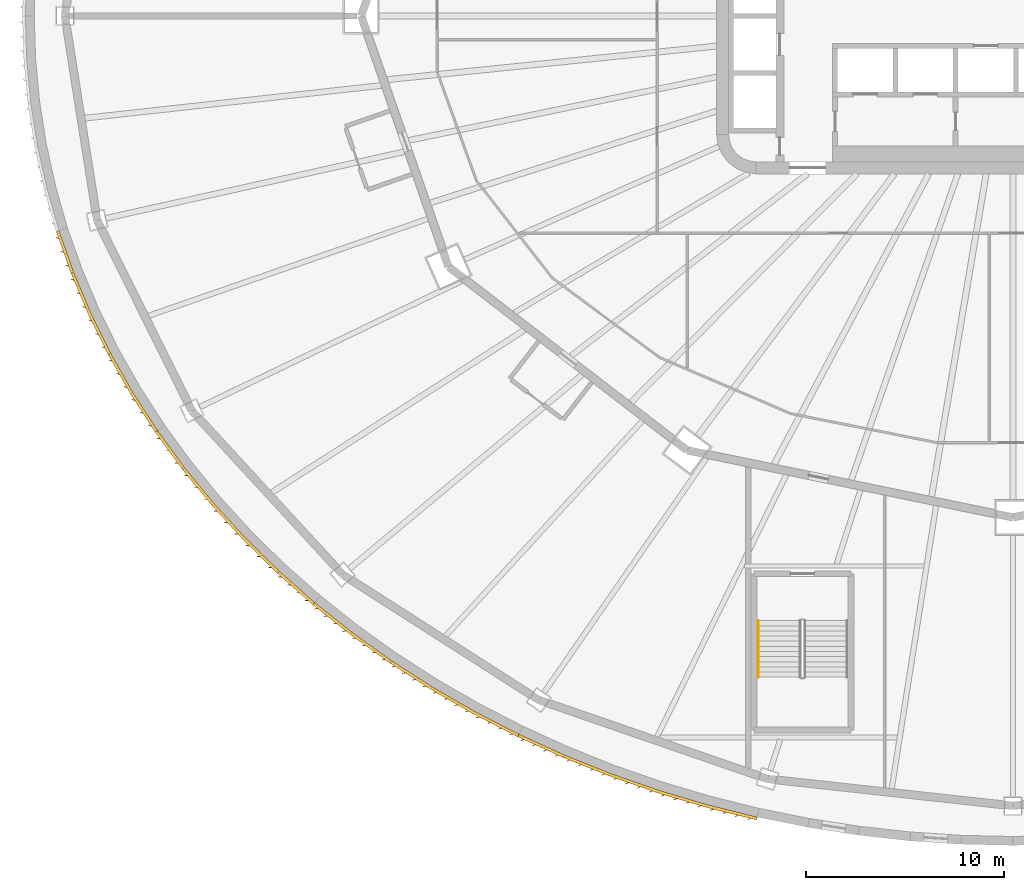
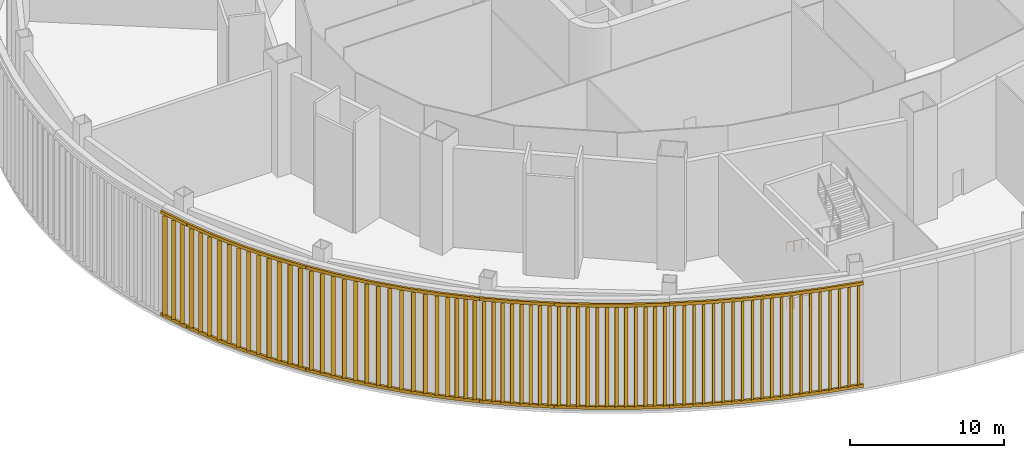
# One storey, part 27 of 35: 4 shading devices, 2 railings.
"""IFC4 building model written with IfcOpenShell, lengths in metres."""

from ifc_helpers import new_model, si_unit, direction, frame, origin, origin_2d, place, context, subcontext, project, spatial, rectangle, circle, extrude, material, type_object, element, save


model = new_model("IFC4")

# Units and contexts
model_context = context("Model", 3, precision=1e-05, world=origin(), true_north=direction((0.0, 1.0)))
body_context = subcontext(model_context, "Body", "Model", "MODEL_VIEW")
ifc_project = project(units=[si_unit("LENGTHUNIT", "METRE"), si_unit("AREAUNIT", "SQUARE_METRE"), si_unit("VOLUMEUNIT", "CUBIC_METRE"), si_unit("PLANEANGLEUNIT", "RADIAN"), si_unit("MASSUNIT", "GRAM", prefix="KILO")], contexts=[model_context])

# Site, building, storey
site_placement = place(None, origin())
site = spatial("IfcSite", under=ifc_project, at=site_placement, CompositionType="ELEMENT")
building_placement = place(site_placement, origin())
building = spatial("IfcBuilding", under=site, at=building_placement, Name="Sahrelin Media Tower", CompositionType="ELEMENT")
storey_placement = place(building_placement, frame((0.0, 0.0, 17.0)))
storey = spatial("IfcBuildingStorey", under=building, at=storey_placement, Name="L02", CompositionType="ELEMENT", Elevation=17.0)

# Railings
ifc_material_1 = material(Name="Steel S355", Category="steel")
railing_type = type_object("IfcRailingType", Name="Stair handrail 900", PredefinedType="HANDRAIL", material=ifc_material_1)
for number, where, name in (
    (1, (-12.89990234375, -30.625, 0.1875), "L02 PS3 stair handrail 1"),
    (2, (-12.89990234375, -30.625, 4.6875), "L02 PS3 stair handrail 3"),
):
    element("IfcRailing", number, at=place(storey_placement, frame(where)), inside=storey, type_object=railing_type, Name=name, PredefinedType="HANDRAIL", context=body_context, shape_type="SweptSolid", body=[
        extrude(circle(Radius=0.02392578125, at=origin_2d()), frame((0.0, 0.0, 0.8759765625), z_axis=(0.0, -0.811100754333, 0.584906459462), x_axis=(1.0, 0.0, 0.0)), (0.0, 0.0, 1.0), 3.526123046875),
        extrude(circle(Radius=0.02099609375, at=origin_2d()), origin(), (0.0, 0.0, 1.0), 0.851806640625),
        extrude(circle(Radius=0.02099609375, at=origin_2d()), frame((0.0, -0.953369140625, 0.6875)), (0.0, 0.0, 1.0), 0.851806640625),
        extrude(circle(Radius=0.02099609375, at=origin_2d()), frame((0.0, -1.90673828125, 1.375)), (0.0, 0.0, 1.0), 0.851806640625),
        extrude(circle(Radius=0.02099609375, at=origin_2d()), frame((0.0, -2.860107421875, 2.0625)), (0.0, 0.0, 1.0), 0.851806640625),
    ])

# Shading devices
ifc_material_2 = material(Name="Champagne anodised aluminium 6063-T6", Category="aluminium")
shading_device_type = type_object("IfcShadingDeviceType", Name="Studio facade screen", PredefinedType="USERDEFINED", material=ifc_material_2)
shading_device_1_placement = place(storey_placement, frame((-48.29638671875, -10.870361328125, 0.0), z_axis=(0.0, 0.0, 1.0), x_axis=(-0.44228697484, 0.896873587462, 0.0)))
element("IfcShadingDevice", 3, at=shading_device_1_placement, inside=storey, type_object=shading_device_type, Name="L02:SCREEN:L02-P13", ObjectType="SCREEN", PredefinedType="USERDEFINED", context=body_context, shape_type="SweptSolid", body=[
    extrude(rectangle(XDim=0.14990234375, YDim=0.25, at=origin_2d()), frame((0.0087890625, 0.074462890625, 0.35009765625), z_axis=(-0.992914515953, 0.118830820961, 0.0), x_axis=(-0.118830820961, -0.992914515953, 0.0)), (0.0, 0.0, 1.0), 2.2353515625),
    extrude(rectangle(XDim=0.14990234375, YDim=0.25, at=origin_2d()), frame((0.0087890625, 0.074462890625, 8.449951171875), z_axis=(-0.992914515953, 0.118830820961, 0.0), x_axis=(-0.118830820961, -0.992914515953, 0.0)), (0.0, 0.0, 1.0), 2.2353515625),
    extrude(rectangle(XDim=0.300048828125, YDim=0.0400390625, at=origin_2d()), frame((-0.35205078125, 0.193115234375, 0.47509765625), z_axis=(0.0, 0.0, 1.0), x_axis=(0.707106781187, 0.707106781187, 0.0)), (0.0, 0.0, 1.0), 7.849853515625),
    extrude(rectangle(XDim=0.300048828125, YDim=0.0400390625, at=origin_2d()), frame((-1.092041015625, 0.28173828125, 0.47509765625), z_axis=(0.0, 0.0, 1.0), x_axis=(0.707106781187, 0.707106781187, 0.0)), (0.0, 0.0, 1.0), 7.849853515625),
    extrude(rectangle(XDim=0.300048828125, YDim=0.0400390625, at=origin_2d()), frame((-1.83203125, 0.370361328125, 0.47509765625), z_axis=(0.0, 0.0, 1.0), x_axis=(0.707106781187, 0.707106781187, 0.0)), (0.0, 0.0, 1.0), 7.849853515625),
    extrude(rectangle(XDim=0.14990234375, YDim=0.25, at=origin_2d()), frame((-2.21533203125, 0.340576171875, 0.35009765625), z_axis=(-0.998255232119, 0.059046520199, 0.0), x_axis=(-0.059046520199, -0.998255232119, 0.0)), (0.0, 0.0, 1.0), 2.249267578125),
    extrude(rectangle(XDim=0.14990234375, YDim=0.25, at=origin_2d()), frame((-2.21533203125, 0.340576171875, 8.449951171875), z_axis=(-0.998255232119, 0.059046520199, 0.0), x_axis=(-0.059046520199, -0.998255232119, 0.0)), (0.0, 0.0, 1.0), 2.249267578125),
    extrude(rectangle(XDim=0.300048828125, YDim=0.0400390625, at=origin_2d()), frame((-2.585205078125, 0.4375, 0.47509765625), z_axis=(0.0, 0.0, 1.0), x_axis=(0.707106781187, 0.707106781187, 0.0)), (0.0, 0.0, 1.0), 7.849853515625),
    extrude(rectangle(XDim=0.300048828125, YDim=0.0400390625, at=origin_2d()), frame((-3.33349609375, 0.481689453125, 0.47509765625), z_axis=(0.0, 0.0, 1.0), x_axis=(0.707106781187, 0.707106781187, 0.0)), (0.0, 0.0, 1.0), 7.849853515625),
    extrude(rectangle(XDim=0.300048828125, YDim=0.0400390625, at=origin_2d()), frame((-4.08203125, 0.526123046875, 0.47509765625), z_axis=(0.0, 0.0, 1.0), x_axis=(0.707106781187, 0.707106781187, 0.0)), (0.0, 0.0, 1.0), 7.849853515625),
    extrude(rectangle(XDim=0.14990234375, YDim=0.25, at=origin_2d()), frame((-4.465087890625, 0.4736328125, 0.35009765625), z_axis=(-1.0, 0.0, 0.0), x_axis=(0.0, -1.0, 0.0)), (0.0, 0.0, 1.0), 2.26513671875),
    extrude(rectangle(XDim=0.14990234375, YDim=0.25, at=origin_2d()), frame((-4.465087890625, 0.4736328125, 8.449951171875), z_axis=(-1.0, 0.0, 0.0), x_axis=(0.0, -1.0, 0.0)), (0.0, 0.0, 1.0), 2.26513671875),
    extrude(rectangle(XDim=0.300048828125, YDim=0.0400390625, at=origin_2d()), frame((-4.8427734375, 0.548583984375, 0.47509765625), z_axis=(0.0, 0.0, 1.0), x_axis=(0.707106781187, 0.707106781187, 0.0)), (0.0, 0.0, 1.0), 7.849853515625),
    extrude(rectangle(XDim=0.300048828125, YDim=0.0400390625, at=origin_2d()), frame((-5.59765625, 0.548583984375, 0.47509765625), z_axis=(0.0, 0.0, 1.0), x_axis=(0.707106781187, 0.707106781187, 0.0)), (0.0, 0.0, 1.0), 7.849853515625),
    extrude(rectangle(XDim=0.300048828125, YDim=0.0400390625, at=origin_2d()), frame((-6.352783203125, 0.548583984375, 0.47509765625), z_axis=(0.0, 0.0, 1.0), x_axis=(0.707106781187, 0.707106781187, 0.0)), (0.0, 0.0, 1.0), 7.849853515625),
    extrude(rectangle(XDim=0.14990234375, YDim=0.25, at=origin_2d()), frame((-6.734619140625, 0.473388671875, 0.35009765625), z_axis=(-0.998305220506, -0.058195246459, 0.0), x_axis=(0.058195246459, -0.998305220506, 0.0)), (0.0, 0.0, 1.0), 2.2822265625),
    extrude(rectangle(XDim=0.14990234375, YDim=0.25, at=origin_2d()), frame((-6.734619140625, 0.473388671875, 8.449951171875), z_axis=(-0.998305220506, -0.058195246459, 0.0), x_axis=(0.058195246459, -0.998305220506, 0.0)), (0.0, 0.0, 1.0), 2.2822265625),
    extrude(rectangle(XDim=0.300048828125, YDim=0.0400390625, at=origin_2d()), frame((-7.11865234375, 0.526123046875, 0.47509765625), z_axis=(0.0, 0.0, 1.0), x_axis=(0.707106781187, 0.707106781187, 0.0)), (0.0, 0.0, 1.0), 7.849853515625),
    extrude(rectangle(XDim=0.300048828125, YDim=0.0400390625, at=origin_2d()), frame((-7.878173828125, 0.481689453125, 0.47509765625), z_axis=(0.0, 0.0, 1.0), x_axis=(0.707106781187, 0.707106781187, 0.0)), (0.0, 0.0, 1.0), 7.849853515625),
    extrude(rectangle(XDim=0.300048828125, YDim=0.0400390625, at=origin_2d()), frame((-8.6376953125, 0.4375, 0.47509765625), z_axis=(0.0, 0.0, 1.0), x_axis=(0.707106781187, 0.707106781187, 0.0)), (0.0, 0.0, 1.0), 7.849853515625),
    extrude(rectangle(XDim=0.14990234375, YDim=0.25, at=origin_2d()), frame((-9.017333984375, 0.340087890625, 0.35009765625), z_axis=(-0.993314738525, -0.115437559871, 0.0), x_axis=(0.115437559871, -0.993314738525, 0.0)), (0.0, 0.0, 1.0), 2.301025390625),
    extrude(rectangle(XDim=0.14990234375, YDim=0.25, at=origin_2d()), frame((-9.017333984375, 0.340087890625, 8.449951171875), z_axis=(-0.993314738525, -0.115437559871, 0.0), x_axis=(0.115437559871, -0.993314738525, 0.0)), (0.0, 0.0, 1.0), 2.301025390625),
    extrude(rectangle(XDim=0.300048828125, YDim=0.0400390625, at=origin_2d()), frame((-9.406982421875, 0.370361328125, 0.47509765625), z_axis=(0.0, 0.0, 1.0), x_axis=(0.707106781187, 0.707106781187, 0.0)), (0.0, 0.0, 1.0), 7.849853515625),
    extrude(rectangle(XDim=0.300048828125, YDim=0.0400390625, at=origin_2d()), frame((-10.168701171875, 0.28173828125, 0.47509765625), z_axis=(0.0, 0.0, 1.0), x_axis=(0.707106781187, 0.707106781187, 0.0)), (0.0, 0.0, 1.0), 7.849853515625),
    extrude(rectangle(XDim=0.300048828125, YDim=0.0400390625, at=origin_2d()), frame((-10.9306640625, 0.193359375, 0.47509765625), z_axis=(0.0, 0.0, 1.0), x_axis=(0.707106781187, 0.707106781187, 0.0)), (0.0, 0.0, 1.0), 7.849853515625),
])
shading_device_2_placement = place(storey_placement, frame((-43.30126953125, -21.0, 0.0), z_axis=(0.0, 0.0, 1.0), x_axis=(-0.674432963717, 0.738336087058, 0.0)))
element("IfcShadingDevice", 4, at=shading_device_2_placement, inside=storey, type_object=shading_device_type, Name="L02:SCREEN:L02-P14", ObjectType="SCREEN", PredefinedType="USERDEFINED", context=body_context, shape_type="SweptSolid", body=[
    extrude(rectangle(XDim=0.14990234375, YDim=0.25, at=origin_2d()), frame((0.00830078125, 0.074462890625, 0.35009765625), z_axis=(-0.993963012616, 0.109715675961, 0.0), x_axis=(-0.109715675961, -0.993963012616, 0.0)), (0.0, 0.0, 1.0), 2.32080078125),
    extrude(rectangle(XDim=0.14990234375, YDim=0.25, at=origin_2d()), frame((0.00830078125, 0.074462890625, 8.449951171875), z_axis=(-0.993963012616, 0.109715675961, 0.0), x_axis=(-0.109715675961, -0.993963012616, 0.0)), (0.0, 0.0, 1.0), 2.32080078125),
    extrude(rectangle(XDim=0.300048828125, YDim=0.0400390625, at=origin_2d()), frame((-0.367919921875, 0.19140625, 0.47509765625), z_axis=(0.0, 0.0, 1.0), x_axis=(0.707106781187, 0.707106781187, 0.0)), (0.0, 0.0, 1.0), 7.849853515625),
    extrude(rectangle(XDim=0.300048828125, YDim=0.0400390625, at=origin_2d()), frame((-1.136962890625, 0.2763671875, 0.47509765625), z_axis=(0.0, 0.0, 1.0), x_axis=(0.707106781187, 0.707106781187, 0.0)), (0.0, 0.0, 1.0), 7.849853515625),
    extrude(rectangle(XDim=0.300048828125, YDim=0.0400390625, at=origin_2d()), frame((-1.90576171875, 0.361083984375, 0.47509765625), z_axis=(0.0, 0.0, 1.0), x_axis=(0.707106781187, 0.707106781187, 0.0)), (0.0, 0.0, 1.0), 7.849853515625),
    extrude(rectangle(XDim=0.14990234375, YDim=0.25, at=origin_2d()), frame((-2.302490234375, 0.32958984375, 0.35009765625), z_axis=(-0.998517872109, 0.054424802051, 0.0), x_axis=(-0.054424802051, -0.998517872109, 0.0)), (0.0, 0.0, 1.0), 2.341552734375),
    extrude(rectangle(XDim=0.14990234375, YDim=0.25, at=origin_2d()), frame((-2.302490234375, 0.32958984375, 8.449951171875), z_axis=(-0.998517872109, 0.054424802051, 0.0), x_axis=(-0.054424802051, -0.998517872109, 0.0)), (0.0, 0.0, 1.0), 2.341552734375),
    extrude(rectangle(XDim=0.300048828125, YDim=0.0400390625, at=origin_2d()), frame((-2.688232421875, 0.425537109375, 0.47509765625), z_axis=(0.0, 0.0, 1.0), x_axis=(0.707106781187, 0.707106781187, 0.0)), (0.0, 0.0, 1.0), 7.849853515625),
    extrude(rectangle(XDim=0.300048828125, YDim=0.0400390625, at=origin_2d()), frame((-3.467529296875, 0.468017578125, 0.47509765625), z_axis=(0.0, 0.0, 1.0), x_axis=(0.707106781187, 0.707106781187, 0.0)), (0.0, 0.0, 1.0), 7.849853515625),
    extrude(rectangle(XDim=0.300048828125, YDim=0.0400390625, at=origin_2d()), frame((-4.246826171875, 0.510498046875, 0.47509765625), z_axis=(0.0, 0.0, 1.0), x_axis=(0.707106781187, 0.707106781187, 0.0)), (0.0, 0.0, 1.0), 7.849853515625),
    extrude(rectangle(XDim=0.14990234375, YDim=0.25, at=origin_2d()), frame((-4.644775390625, 0.45703125, 0.35009765625), z_axis=(-0.999999994661, 0.000103337811, 0.0), x_axis=(-0.000103337811, -0.999999994661, 0.0)), (0.0, 0.0, 1.0), 2.362548828125),
    extrude(rectangle(XDim=0.14990234375, YDim=0.25, at=origin_2d()), frame((-4.644775390625, 0.45703125, 8.449951171875), z_axis=(-0.999999994661, 0.000103337811, 0.0), x_axis=(-0.000103337811, -0.999999994661, 0.0)), (0.0, 0.0, 1.0), 2.362548828125),
    extrude(rectangle(XDim=0.300048828125, YDim=0.0400390625, at=origin_2d()), frame((-5.03857421875, 0.531982421875, 0.47509765625), z_axis=(0.0, 0.0, 1.0), x_axis=(0.707106781187, 0.707106781187, 0.0)), (0.0, 0.0, 1.0), 7.849853515625),
    extrude(rectangle(XDim=0.300048828125, YDim=0.0400390625, at=origin_2d()), frame((-5.826171875, 0.531982421875, 0.47509765625), z_axis=(0.0, 0.0, 1.0), x_axis=(0.707106781187, 0.707106781187, 0.0)), (0.0, 0.0, 1.0), 7.849853515625),
    extrude(rectangle(XDim=0.300048828125, YDim=0.0400390625, at=origin_2d()), frame((-6.61376953125, 0.5322265625, 0.47509765625), z_axis=(0.0, 0.0, 1.0), x_axis=(0.707106781187, 0.707106781187, 0.0)), (0.0, 0.0, 1.0), 7.849853515625),
    extrude(rectangle(XDim=0.14990234375, YDim=0.25, at=origin_2d()), frame((-7.011474609375, 0.45703125, 0.35009765625), z_axis=(-0.998570768026, -0.053445497889, 0.0), x_axis=(0.053445497889, -0.998570768026, 0.0)), (0.0, 0.0, 1.0), 2.384521484375),
    extrude(rectangle(XDim=0.14990234375, YDim=0.25, at=origin_2d()), frame((-7.011474609375, 0.45703125, 8.449951171875), z_axis=(-0.998570768026, -0.053445497889, 0.0), x_axis=(0.053445497889, -0.998570768026, 0.0)), (0.0, 0.0, 1.0), 2.384521484375),
    extrude(rectangle(XDim=0.300048828125, YDim=0.0400390625, at=origin_2d()), frame((-7.412353515625, 0.5107421875, 0.47509765625), z_axis=(0.0, 0.0, 1.0), x_axis=(0.707106781187, 0.707106781187, 0.0)), (0.0, 0.0, 1.0), 7.849853515625),
    extrude(rectangle(XDim=0.300048828125, YDim=0.0400390625, at=origin_2d()), frame((-8.2060546875, 0.46826171875, 0.47509765625), z_axis=(0.0, 0.0, 1.0), x_axis=(0.707106781187, 0.707106781187, 0.0)), (0.0, 0.0, 1.0), 7.849853515625),
    extrude(rectangle(XDim=0.300048828125, YDim=0.0400390625, at=origin_2d()), frame((-8.999755859375, 0.42578125, 0.47509765625), z_axis=(0.0, 0.0, 1.0), x_axis=(0.707106781187, 0.707106781187, 0.0)), (0.0, 0.0, 1.0), 7.849853515625),
    extrude(rectangle(XDim=0.14990234375, YDim=0.25, at=origin_2d()), frame((-9.396484375, 0.3291015625, 0.35009765625), z_axis=(-0.994395950407, -0.105719883718, 0.0), x_axis=(0.105719883718, -0.994395950407, 0.0)), (0.0, 0.0, 1.0), 2.40625),
    extrude(rectangle(XDim=0.14990234375, YDim=0.25, at=origin_2d()), frame((-9.396484375, 0.3291015625, 8.449951171875), z_axis=(-0.994395950407, -0.105719883718, 0.0), x_axis=(0.105719883718, -0.994395950407, 0.0)), (0.0, 0.0, 1.0), 2.40625),
    extrude(rectangle(XDim=0.300048828125, YDim=0.0400390625, at=origin_2d()), frame((-9.70361328125, 0.3720703125, 0.47509765625), z_axis=(0.0, 0.0, 1.0), x_axis=(0.707106781187, 0.707106781187, 0.0)), (0.0, 0.0, 1.0), 7.849853515625),
    extrude(rectangle(XDim=0.300048828125, YDim=0.0400390625, at=origin_2d()), frame((-10.3017578125, 0.308349609375, 0.47509765625), z_axis=(0.0, 0.0, 1.0), x_axis=(0.707106781187, 0.707106781187, 0.0)), (0.0, 0.0, 1.0), 7.849853515625),
    extrude(rectangle(XDim=0.300048828125, YDim=0.0400390625, at=origin_2d()), frame((-10.89990234375, 0.24462890625, 0.47509765625), z_axis=(0.0, 0.0, 1.0), x_axis=(0.707106781187, 0.707106781187, 0.0)), (0.0, 0.0, 1.0), 7.849853515625),
    extrude(rectangle(XDim=0.300048828125, YDim=0.0400390625, at=origin_2d()), frame((-11.498291015625, 0.180908203125, 0.47509765625), z_axis=(0.0, 0.0, 1.0), x_axis=(0.707106781187, 0.707106781187, 0.0)), (0.0, 0.0, 1.0), 7.849853515625),
])
shading_device_3_placement = place(storey_placement, frame((-35.355224609375, -29.698486328125, 0.0), z_axis=(0.0, 0.0, 1.0), x_axis=(-0.840505257377, 0.541803388991, 0.0)))
element("IfcShadingDevice", 5, at=shading_device_3_placement, inside=storey, type_object=shading_device_type, Name="L02:SCREEN:L02-P15", ObjectType="SCREEN", PredefinedType="USERDEFINED", context=body_context, shape_type="SweptSolid", body=[
    extrude(rectangle(XDim=0.14990234375, YDim=0.25, at=origin_2d()), frame((0.007568359375, 0.07470703125, 0.35009765625), z_axis=(-0.994963253127, 0.100240335829, 0.0), x_axis=(-0.100240335829, -0.994963253127, 0.0)), (0.0, 0.0, 1.0), 2.42822265625),
    extrude(rectangle(XDim=0.14990234375, YDim=0.25, at=origin_2d()), frame((0.007568359375, 0.07470703125, 8.449951171875), z_axis=(-0.994963253127, 0.100240335829, 0.0), x_axis=(-0.100240335829, -0.994963253127, 0.0)), (0.0, 0.0, 1.0), 2.42822265625),
    extrude(rectangle(XDim=0.300048828125, YDim=0.0400390625, at=origin_2d()), frame((-0.287109375, 0.1796875, 0.47509765625), z_axis=(0.0, 0.0, 1.0), x_axis=(0.707106781187, 0.707106781187, 0.0)), (0.0, 0.0, 1.0), 7.849853515625),
    extrude(rectangle(XDim=0.300048828125, YDim=0.0400390625, at=origin_2d()), frame((-0.89111328125, 0.240478515625, 0.47509765625), z_axis=(0.0, 0.0, 1.0), x_axis=(0.707106781187, 0.707106781187, 0.0)), (0.0, 0.0, 1.0), 7.849853515625),
    extrude(rectangle(XDim=0.300048828125, YDim=0.0400390625, at=origin_2d()), frame((-1.4951171875, 0.301513671875, 0.47509765625), z_axis=(0.0, 0.0, 1.0), x_axis=(0.707106781187, 0.707106781187, 0.0)), (0.0, 0.0, 1.0), 7.849853515625),
    extrude(rectangle(XDim=0.300048828125, YDim=0.0400390625, at=origin_2d()), frame((-2.09912109375, 0.3623046875, 0.47509765625), z_axis=(0.0, 0.0, 1.0), x_axis=(0.707106781187, 0.707106781187, 0.0)), (0.0, 0.0, 1.0), 7.849853515625),
    extrude(rectangle(XDim=0.14990234375, YDim=0.25, at=origin_2d()), frame((-2.412353515625, 0.318359375, 0.35009765625), z_axis=(-0.99876250847, 0.049733808175, 0.0), x_axis=(-0.049733808175, -0.99876250847, 0.0)), (0.0, 0.0, 1.0), 2.449462890625),
    extrude(rectangle(XDim=0.14990234375, YDim=0.25, at=origin_2d()), frame((-2.412353515625, 0.318359375, 8.449951171875), z_axis=(-0.99876250847, 0.049733808175, 0.0), x_axis=(-0.049733808175, -0.99876250847, 0.0)), (0.0, 0.0, 1.0), 2.449462890625),
    extrude(rectangle(XDim=0.300048828125, YDim=0.0400390625, at=origin_2d()), frame((-2.71435546875, 0.40869140625, 0.47509765625), z_axis=(0.0, 0.0, 1.0), x_axis=(0.707106781187, 0.707106781187, 0.0)), (0.0, 0.0, 1.0), 7.849853515625),
    extrude(rectangle(XDim=0.300048828125, YDim=0.0400390625, at=origin_2d()), frame((-3.326171875, 0.43896484375, 0.47509765625), z_axis=(0.0, 0.0, 1.0), x_axis=(0.707106781187, 0.707106781187, 0.0)), (0.0, 0.0, 1.0), 7.849853515625),
    extrude(rectangle(XDim=0.300048828125, YDim=0.0400390625, at=origin_2d()), frame((-3.937744140625, 0.469482421875, 0.47509765625), z_axis=(0.0, 0.0, 1.0), x_axis=(0.707106781187, 0.707106781187, 0.0)), (0.0, 0.0, 1.0), 7.849853515625),
    extrude(rectangle(XDim=0.300048828125, YDim=0.0400390625, at=origin_2d()), frame((-4.54931640625, 0.5, 0.47509765625), z_axis=(0.0, 0.0, 1.0), x_axis=(0.707106781187, 0.707106781187, 0.0)), (0.0, 0.0, 1.0), 7.849853515625),
    extrude(rectangle(XDim=0.14990234375, YDim=0.25, at=origin_2d()), frame((-4.86279296875, 0.4404296875, 0.35009765625), z_axis=(-1.0, 0.0, 0.0), x_axis=(0.0, -1.0, 0.0)), (0.0, 0.0, 1.0), 2.470703125),
    extrude(rectangle(XDim=0.14990234375, YDim=0.25, at=origin_2d()), frame((-4.86279296875, 0.4404296875, 8.449951171875), z_axis=(-1.0, 0.0, 0.0), x_axis=(0.0, -1.0, 0.0)), (0.0, 0.0, 1.0), 2.470703125),
    extrude(rectangle(XDim=0.300048828125, YDim=0.0400390625, at=origin_2d()), frame((-5.171630859375, 0.515380859375, 0.47509765625), z_axis=(0.0, 0.0, 1.0), x_axis=(0.707106781187, 0.707106781187, 0.0)), (0.0, 0.0, 1.0), 7.849853515625),
    extrude(rectangle(XDim=0.300048828125, YDim=0.0400390625, at=origin_2d()), frame((-5.789306640625, 0.515380859375, 0.47509765625), z_axis=(0.0, 0.0, 1.0), x_axis=(0.707106781187, 0.707106781187, 0.0)), (0.0, 0.0, 1.0), 7.849853515625),
    extrude(rectangle(XDim=0.300048828125, YDim=0.0400390625, at=origin_2d()), frame((-6.406982421875, 0.515380859375, 0.47509765625), z_axis=(0.0, 0.0, 1.0), x_axis=(0.707106781187, 0.707106781187, 0.0)), (0.0, 0.0, 1.0), 7.849853515625),
    extrude(rectangle(XDim=0.300048828125, YDim=0.0400390625, at=origin_2d()), frame((-7.024658203125, 0.515380859375, 0.47509765625), z_axis=(0.0, 0.0, 1.0), x_axis=(0.707106781187, 0.707106781187, 0.0)), (0.0, 0.0, 1.0), 7.849853515625),
    extrude(rectangle(XDim=0.14990234375, YDim=0.25, at=origin_2d()), frame((-7.337158203125, 0.440185546875, 0.35009765625), z_axis=(-0.99880815952, -0.048808405793, 0.0), x_axis=(0.048808405793, -0.99880815952, 0.0)), (0.0, 0.0, 1.0), 2.490966796875),
    extrude(rectangle(XDim=0.14990234375, YDim=0.25, at=origin_2d()), frame((-7.337158203125, 0.440185546875, 8.449951171875), z_axis=(-0.99880815952, -0.048808405793, 0.0), x_axis=(0.048808405793, -0.99880815952, 0.0)), (0.0, 0.0, 1.0), 2.490966796875),
    extrude(rectangle(XDim=0.300048828125, YDim=0.0400390625, at=origin_2d()), frame((-7.65185546875, 0.5, 0.47509765625), z_axis=(0.0, 0.0, 1.0), x_axis=(0.707106781187, 0.707106781187, 0.0)), (0.0, 0.0, 1.0), 7.849853515625),
    extrude(rectangle(XDim=0.300048828125, YDim=0.0400390625, at=origin_2d()), frame((-8.273681640625, 0.469482421875, 0.47509765625), z_axis=(0.0, 0.0, 1.0), x_axis=(0.707106781187, 0.707106781187, 0.0)), (0.0, 0.0, 1.0), 7.849853515625),
    extrude(rectangle(XDim=0.300048828125, YDim=0.0400390625, at=origin_2d()), frame((-8.895751953125, 0.439208984375, 0.47509765625), z_axis=(0.0, 0.0, 1.0), x_axis=(0.707106781187, 0.707106781187, 0.0)), (0.0, 0.0, 1.0), 7.849853515625),
    extrude(rectangle(XDim=0.300048828125, YDim=0.0400390625, at=origin_2d()), frame((-9.517822265625, 0.40869140625, 0.47509765625), z_axis=(0.0, 0.0, 1.0), x_axis=(0.707106781187, 0.707106781187, 0.0)), (0.0, 0.0, 1.0), 7.849853515625),
    extrude(rectangle(XDim=0.14990234375, YDim=0.25, at=origin_2d()), frame((-9.828857421875, 0.318115234375, 0.35009765625), z_axis=(-0.995288149156, -0.096961333272, 0.0), x_axis=(0.096961333272, -0.995288149156, 0.0)), (0.0, 0.0, 1.0), 2.51025390625),
    extrude(rectangle(XDim=0.14990234375, YDim=0.25, at=origin_2d()), frame((-9.828857421875, 0.318115234375, 8.449951171875), z_axis=(-0.995288149156, -0.096961333272, 0.0), x_axis=(0.096961333272, -0.995288149156, 0.0)), (0.0, 0.0, 1.0), 2.51025390625),
    extrude(rectangle(XDim=0.300048828125, YDim=0.0400390625, at=origin_2d()), frame((-10.1484375, 0.3623046875, 0.47509765625), z_axis=(0.0, 0.0, 1.0), x_axis=(0.707106781187, 0.707106781187, 0.0)), (0.0, 0.0, 1.0), 7.849853515625),
    extrude(rectangle(XDim=0.300048828125, YDim=0.0400390625, at=origin_2d()), frame((-10.77294921875, 0.301513671875, 0.47509765625), z_axis=(0.0, 0.0, 1.0), x_axis=(0.707106781187, 0.707106781187, 0.0)), (0.0, 0.0, 1.0), 7.849853515625),
    extrude(rectangle(XDim=0.300048828125, YDim=0.0400390625, at=origin_2d()), frame((-11.397705078125, 0.240478515625, 0.47509765625), z_axis=(0.0, 0.0, 1.0), x_axis=(0.707106781187, 0.707106781187, 0.0)), (0.0, 0.0, 1.0), 7.849853515625),
    extrude(rectangle(XDim=0.300048828125, YDim=0.0400390625, at=origin_2d()), frame((-12.022216796875, 0.1796875, 0.47509765625), z_axis=(0.0, 0.0, 1.0), x_axis=(0.707106781187, 0.707106781187, 0.0)), (0.0, 0.0, 1.0), 7.849853515625),
])
shading_device_4_placement = place(storey_placement, frame((-25.0, -36.373046875, 0.0), z_axis=(0.0, 0.0, 1.0), x_axis=(-0.944472511528, 0.328590436515, 0.0)))
element("IfcShadingDevice", 6, at=shading_device_4_placement, inside=storey, type_object=shading_device_type, Name="L02:SCREEN:L02-P16", ObjectType="SCREEN", PredefinedType="USERDEFINED", context=body_context, shape_type="SweptSolid", body=[
    extrude(rectangle(XDim=0.14990234375, YDim=0.25, at=origin_2d()), frame((0.007080078125, 0.07470703125, 0.35009765625), z_axis=(-0.995676744861, 0.092886057851, 0.0), x_axis=(-0.092886057851, -0.995676744861, 0.0)), (0.0, 0.0, 1.0), 2.528564453125),
    extrude(rectangle(XDim=0.14990234375, YDim=0.25, at=origin_2d()), frame((0.007080078125, 0.07470703125, 8.449951171875), z_axis=(-0.995676744861, 0.092886057851, 0.0), x_axis=(-0.092886057851, -0.995676744861, 0.0)), (0.0, 0.0, 1.0), 2.528564453125),
    extrude(rectangle(XDim=0.300048828125, YDim=0.0400390625, at=origin_2d()), frame((-0.30078125, 0.1787109375, 0.47509765625), z_axis=(0.0, 0.0, 1.0), x_axis=(0.707106781187, 0.707106781187, 0.0)), (0.0, 0.0, 1.0), 7.849853515625),
    extrude(rectangle(XDim=0.300048828125, YDim=0.0400390625, at=origin_2d()), frame((-0.93017578125, 0.237548828125, 0.47509765625), z_axis=(0.0, 0.0, 1.0), x_axis=(0.707106781187, 0.707106781187, 0.0)), (0.0, 0.0, 1.0), 7.849853515625),
    extrude(rectangle(XDim=0.300048828125, YDim=0.0400390625, at=origin_2d()), frame((-1.5595703125, 0.296142578125, 0.47509765625), z_axis=(0.0, 0.0, 1.0), x_axis=(0.707106781187, 0.707106781187, 0.0)), (0.0, 0.0, 1.0), 7.849853515625),
    extrude(rectangle(XDim=0.300048828125, YDim=0.0400390625, at=origin_2d()), frame((-2.18896484375, 0.35498046875, 0.47509765625), z_axis=(0.0, 0.0, 1.0), x_axis=(0.707106781187, 0.707106781187, 0.0)), (0.0, 0.0, 1.0), 7.849853515625),
    extrude(rectangle(XDim=0.14990234375, YDim=0.25, at=origin_2d()), frame((-2.51416015625, 0.309814453125, 0.35009765625), z_axis=(-0.998930620484, 0.046234353666, 0.0), x_axis=(-0.046234353666, -0.998930620484, 0.0)), (0.0, 0.0, 1.0), 2.545166015625),
    extrude(rectangle(XDim=0.14990234375, YDim=0.25, at=origin_2d()), frame((-2.51416015625, 0.309814453125, 8.449951171875), z_axis=(-0.998930620484, 0.046234353666, 0.0), x_axis=(-0.046234353666, -0.998930620484, 0.0)), (0.0, 0.0, 1.0), 2.545166015625),
    extrude(rectangle(XDim=0.300048828125, YDim=0.0400390625, at=origin_2d()), frame((-2.828369140625, 0.3994140625, 0.47509765625), z_axis=(0.0, 0.0, 1.0), x_axis=(0.707106781187, 0.707106781187, 0.0)), (0.0, 0.0, 1.0), 7.849853515625),
    extrude(rectangle(XDim=0.300048828125, YDim=0.0400390625, at=origin_2d()), frame((-3.464111328125, 0.428955078125, 0.47509765625), z_axis=(0.0, 0.0, 1.0), x_axis=(0.707106781187, 0.707106781187, 0.0)), (0.0, 0.0, 1.0), 7.849853515625),
    extrude(rectangle(XDim=0.300048828125, YDim=0.0400390625, at=origin_2d()), frame((-4.099609375, 0.458251953125, 0.47509765625), z_axis=(0.0, 0.0, 1.0), x_axis=(0.707106781187, 0.707106781187, 0.0)), (0.0, 0.0, 1.0), 7.849853515625),
    extrude(rectangle(XDim=0.300048828125, YDim=0.0400390625, at=origin_2d()), frame((-4.7353515625, 0.48779296875, 0.47509765625), z_axis=(0.0, 0.0, 1.0), x_axis=(0.707106781187, 0.707106781187, 0.0)), (0.0, 0.0, 1.0), 7.849853515625),
    extrude(rectangle(XDim=0.14990234375, YDim=0.25, at=origin_2d()), frame((-5.06005859375, 0.427490234375, 0.35009765625), z_axis=(-1.0, 0.0, 0.0), x_axis=(0.0, -1.0, 0.0)), (0.0, 0.0, 1.0), 2.560546875),
    extrude(rectangle(XDim=0.14990234375, YDim=0.25, at=origin_2d()), frame((-5.06005859375, 0.427490234375, 8.449951171875), z_axis=(-1.0, 0.0, 0.0), x_axis=(0.0, -1.0, 0.0)), (0.0, 0.0, 1.0), 2.560546875),
    extrude(rectangle(XDim=0.300048828125, YDim=0.0400390625, at=origin_2d()), frame((-5.380126953125, 0.502685546875, 0.47509765625), z_axis=(0.0, 0.0, 1.0), x_axis=(0.707106781187, 0.707106781187, 0.0)), (0.0, 0.0, 1.0), 7.849853515625),
    extrude(rectangle(XDim=0.300048828125, YDim=0.0400390625, at=origin_2d()), frame((-6.020263671875, 0.502685546875, 0.47509765625), z_axis=(0.0, 0.0, 1.0), x_axis=(0.707106781187, 0.707106781187, 0.0)), (0.0, 0.0, 1.0), 7.849853515625),
    extrude(rectangle(XDim=0.300048828125, YDim=0.0400390625, at=origin_2d()), frame((-6.660400390625, 0.502685546875, 0.47509765625), z_axis=(0.0, 0.0, 1.0), x_axis=(0.707106781187, 0.707106781187, 0.0)), (0.0, 0.0, 1.0), 7.849853515625),
    extrude(rectangle(XDim=0.300048828125, YDim=0.0400390625, at=origin_2d()), frame((-7.300537109375, 0.502685546875, 0.47509765625), z_axis=(0.0, 0.0, 1.0), x_axis=(0.707106781187, 0.707106781187, 0.0)), (0.0, 0.0, 1.0), 7.849853515625),
    extrude(rectangle(XDim=0.14990234375, YDim=0.25, at=origin_2d()), frame((-7.6240234375, 0.427490234375, 0.35009765625), z_axis=(-0.998954807811, -0.045708773245, 0.0), x_axis=(0.045708773245, -0.998954807811, 0.0)), (0.0, 0.0, 1.0), 2.574462890625),
    extrude(rectangle(XDim=0.14990234375, YDim=0.25, at=origin_2d()), frame((-7.6240234375, 0.427490234375, 8.449951171875), z_axis=(-0.998954807811, -0.045708773245, 0.0), x_axis=(0.045708773245, -0.998954807811, 0.0)), (0.0, 0.0, 1.0), 2.574462890625),
    extrude(rectangle(XDim=0.300048828125, YDim=0.0400390625, at=origin_2d()), frame((-7.948974609375, 0.48779296875, 0.47509765625), z_axis=(0.0, 0.0, 1.0), x_axis=(0.707106781187, 0.707106781187, 0.0)), (0.0, 0.0, 1.0), 7.849853515625),
    extrude(rectangle(XDim=0.300048828125, YDim=0.0400390625, at=origin_2d()), frame((-8.592041015625, 0.458251953125, 0.47509765625), z_axis=(0.0, 0.0, 1.0), x_axis=(0.707106781187, 0.707106781187, 0.0)), (0.0, 0.0, 1.0), 7.849853515625),
    extrude(rectangle(XDim=0.300048828125, YDim=0.0400390625, at=origin_2d()), frame((-9.23486328125, 0.428955078125, 0.47509765625), z_axis=(0.0, 0.0, 1.0), x_axis=(0.707106781187, 0.707106781187, 0.0)), (0.0, 0.0, 1.0), 7.849853515625),
    extrude(rectangle(XDim=0.300048828125, YDim=0.0400390625, at=origin_2d()), frame((-9.877685546875, 0.3994140625, 0.47509765625), z_axis=(0.0, 0.0, 1.0), x_axis=(0.707106781187, 0.707106781187, 0.0)), (0.0, 0.0, 1.0), 7.849853515625),
    extrude(rectangle(XDim=0.14990234375, YDim=0.25, at=origin_2d()), frame((-10.19921875, 0.3095703125, 0.35009765625), z_axis=(-0.995868409854, -0.090808095761, 0.0), x_axis=(0.090808095761, -0.995868409854, 0.0)), (0.0, 0.0, 1.0), 2.58642578125),
    extrude(rectangle(XDim=0.14990234375, YDim=0.25, at=origin_2d()), frame((-10.19921875, 0.3095703125, 8.449951171875), z_axis=(-0.995868409854, -0.090808095761, 0.0), x_axis=(0.090808095761, -0.995868409854, 0.0)), (0.0, 0.0, 1.0), 2.58642578125),
    extrude(rectangle(XDim=0.300048828125, YDim=0.0400390625, at=origin_2d()), frame((-10.528076171875, 0.35498046875, 0.47509765625), z_axis=(0.0, 0.0, 1.0), x_axis=(0.707106781187, 0.707106781187, 0.0)), (0.0, 0.0, 1.0), 7.849853515625),
    extrude(rectangle(XDim=0.300048828125, YDim=0.0400390625, at=origin_2d()), frame((-11.171875, 0.296142578125, 0.47509765625), z_axis=(0.0, 0.0, 1.0), x_axis=(0.707106781187, 0.707106781187, 0.0)), (0.0, 0.0, 1.0), 7.849853515625),
    extrude(rectangle(XDim=0.300048828125, YDim=0.0400390625, at=origin_2d()), frame((-11.81591796875, 0.237548828125, 0.47509765625), z_axis=(0.0, 0.0, 1.0), x_axis=(0.707106781187, 0.707106781187, 0.0)), (0.0, 0.0, 1.0), 7.849853515625),
    extrude(rectangle(XDim=0.300048828125, YDim=0.0400390625, at=origin_2d()), frame((-12.459716796875, 0.1787109375, 0.47509765625), z_axis=(0.0, 0.0, 1.0), x_axis=(0.707106781187, 0.707106781187, 0.0)), (0.0, 0.0, 1.0), 7.849853515625),
])

save(model, "model.ifc")
